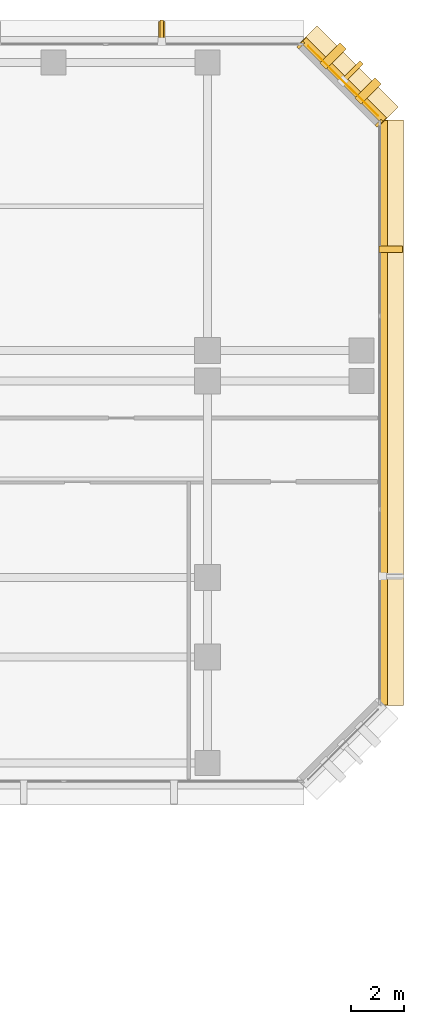
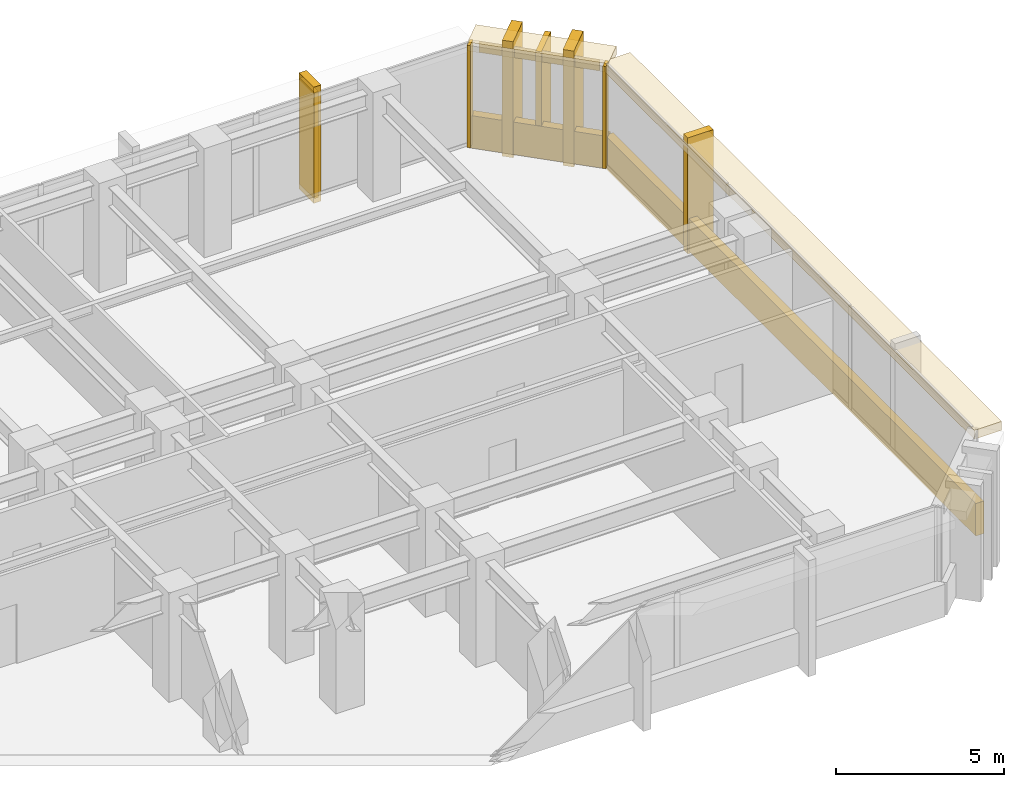
# One storey, part 14 of 14: 11 coverings, 2 shading devices.
"""IFC4 building model written with IfcOpenShell, lengths in metres."""

import ifcopenshell
import ifcopenshell.guid

model = None  # the IFC model being written
_history = None  # IfcOwnerHistory: only IFC2X3 demands one
_inside = {}  # id of a spatial element -> (the spatial element, [elements in it])
_under = {}  # id of a project, library or spatial element -> (it, [spatial elements below it])
_declared = {}  # id of a project -> (the project, [libraries it declares])
_typed = {}  # id of a type object -> (the type object, [elements of that type])
_made_of = {}  # id of a material, layer set ... -> (it, [elements and type objects made of it])


def new_model(schema):
    """Start an empty IFC model of exactly this schema.

    Asked for "IFC4X3", IfcOpenShell would pick the latest addendum, in which some entities
    have other attributes; the version numbers below select the first issue.
    IFC2X3 requires an IfcOwnerHistory on every rooted entity: one is made here for all.
    """
    global model, _history
    if schema == "IFC4X3":
        model = ifcopenshell.file(schema_version=(4, 3, 0, 0))
    else:
        model = ifcopenshell.file(schema=schema)
    _inside.clear()
    _under.clear()
    _declared.clear()
    _typed.clear()
    _made_of.clear()
    _history = None
    if model.schema == "IFC2X3":
        org = make("IfcOrganization", Name="unknown")
        user = make(
            "IfcPersonAndOrganization",
            ThePerson=make("IfcPerson", FamilyName="unknown"),
            TheOrganization=org,
        )
        app = make(
            "IfcApplication",
            ApplicationDeveloper=org,
            Version="unknown",
            ApplicationFullName="unknown",
            ApplicationIdentifier="unknown",
        )
        _history = make(
            "IfcOwnerHistory",
            OwningUser=user,
            OwningApplication=app,
            ChangeAction="ADDED",
            CreationDate=0,
        )
    return model


def make(cls, **values):
    """One entity of the class cls with the attributes given. An attribute that is None is left unset."""
    return model.create_entity(
        cls, **{name: value for name, value in values.items() if value is not None}
    )


def rooted(cls, **values):
    """An entity with a GlobalId (a new one), such as an element, a storey or a relation."""
    return make(cls, GlobalId=ifcopenshell.guid.new(), OwnerHistory=_history, **values)


def si_unit(unit_type, name, prefix=None):
    """IfcSIUnit, for example si_unit("LENGTHUNIT", "METRE", prefix="MILLI")."""
    return make("IfcSIUnit", UnitType=unit_type, Prefix=prefix, Name=name)


def assignment(units):
    """IfcUnitAssignment: the units of a project."""
    return None if units is None else make("IfcUnitAssignment", Units=units)


def point(xyz):
    """IfcCartesianPoint."""
    return None if xyz is None else make("IfcCartesianPoint", Coordinates=xyz)


def direction(xyz):
    """IfcDirection."""
    return None if xyz is None else make("IfcDirection", DirectionRatios=xyz)


def frame(location, z_axis=None, x_axis=None):
    """IfcAxis2Placement3D, a coordinate frame: its origin and axes. An axis left out is left unset."""
    return make(
        "IfcAxis2Placement3D",
        Location=point(location),
        Axis=direction(z_axis),
        RefDirection=direction(x_axis),
    )


def frame_2d(location, x_axis=None):
    """IfcAxis2Placement2D, a coordinate frame in the plane: its origin and x axis."""
    return make(
        "IfcAxis2Placement2D", Location=point(location), RefDirection=direction(x_axis)
    )


def origin():
    """The frame at (0, 0, 0) with its axes left unset."""
    return frame((0.0, 0.0, 0.0))


def origin_2d():
    """The frame at (0, 0) in the plane with its x axis left unset."""
    return frame_2d((0.0, 0.0))


def place(relative_to, where):
    """IfcLocalPlacement: puts the frame where relative to a parent placement (None: the world)."""
    return make(
        "IfcLocalPlacement", PlacementRelTo=relative_to, RelativePlacement=where
    )


def context(
    kind, dimensions, precision=None, world=None, true_north=None, identifier=None
):
    """IfcGeometricRepresentationContext, for example the 3D "Model" context."""
    return make(
        "IfcGeometricRepresentationContext",
        ContextIdentifier=identifier,
        ContextType=kind,
        CoordinateSpaceDimension=dimensions,
        Precision=precision,
        WorldCoordinateSystem=world,
        TrueNorth=true_north,
    )


def subcontext(parent, identifier, kind, view, scale=None):
    """IfcGeometricRepresentationSubContext, for example "Body" below "Model"."""
    return make(
        "IfcGeometricRepresentationSubContext",
        ContextIdentifier=identifier,
        ContextType=kind,
        ParentContext=parent,
        TargetScale=scale,
        TargetView=view,
    )


def project(units=None, contexts=None):
    """IfcProject with its units and contexts."""
    return rooted(
        "IfcProject",
        Name="project",
        RepresentationContexts=contexts,
        UnitsInContext=assignment(units),
    )


def spatial(cls, under=None, at=None, **own):
    """A site, building, storey or space (cls), placed at a placement, below another one or the project."""
    s = rooted(cls, ObjectPlacement=at, **own)
    if under is not None:
        _under.setdefault(under.id(), (under, []))[1].append(s)
    return s


def profile(cls, at=None, kind="AREA", **sizes):
    """A parametric profile (cls). Its sizes go by their IFC names, for example OverallWidth=200.0."""
    return make(cls, ProfileType=kind, Position=at, **sizes)


def rectangle(**sizes):
    """IfcRectangleProfileDef."""
    return profile("IfcRectangleProfileDef", **sizes)


def extrude(swept, where, along, depth):
    """IfcExtrudedAreaSolid: the profile swept, set in the frame where, extruded along a direction by depth."""
    return make(
        "IfcExtrudedAreaSolid",
        SweptArea=swept,
        Position=where,
        ExtrudedDirection=direction(along),
        Depth=depth,
    )


def shape(context_of_items, identifier, shape_type, items):
    """IfcShapeRepresentation: the items that make up one representation, for example the "Body"."""
    return make(
        "IfcShapeRepresentation",
        ContextOfItems=context_of_items,
        RepresentationIdentifier=identifier,
        RepresentationType=shape_type,
        Items=items,
    )


def material(Name=None, Category=None):
    """IfcMaterial."""
    return make("IfcMaterial", Name=Name, Category=Category)


def layer(
    of_material, thickness, ventilated=None, Name=None, Category=None, Priority=None
):
    """IfcMaterialLayer: one layer of a wall or slab, of a material (None: an air gap)."""
    return make(
        "IfcMaterialLayer",
        Material=of_material,
        LayerThickness=thickness,
        IsVentilated=ventilated,
        Name=Name,
        Category=Category,
        Priority=Priority,
    )


def layer_set(layers, Name=None):
    """IfcMaterialLayerSet."""
    return make("IfcMaterialLayerSet", MaterialLayers=layers, LayerSetName=Name)


def material_profile(
    of_material, cross_section, Name=None, Category=None, Priority=None
):
    """IfcMaterialProfile: a cross section and its material."""
    return make(
        "IfcMaterialProfile",
        Name=Name,
        Material=of_material,
        Profile=cross_section,
        Priority=Priority,
        Category=Category,
    )


def profile_set(profiles, Name=None, composite=None):
    """IfcMaterialProfileSet."""
    return make(
        "IfcMaterialProfileSet",
        Name=Name,
        MaterialProfiles=profiles,
        CompositeProfile=composite,
    )


def made_of(thing, what):
    """Note that an element or type object is made of a material, layer set ...; save() writes the relation."""
    if what is not None:
        _made_of.setdefault(what.id(), (what, []))[1].append(thing)
    return thing


def type_object(cls, material=None, **own):
    """A type object (cls), such as IfcWallType, which elements share."""
    return made_of(rooted(cls, **own), material)


def element(
    cls,
    number,
    at=None,
    inside=None,
    cuts=None,
    type_object=None,
    material=None,
    context=None,
    identifier="Body",
    shape_type=None,
    held_by="IfcProductDefinitionShape",
    body=None,
    shapes=None,
    **own,
):
    """One element of the class cls, such as IfcWall. Its Tag is "e" and its number.

    at: its placement. inside: the storey or other place that contains it. cuts: it is an
    opening in that element (IfcRelVoidsElement). A single representation is given by context,
    identifier, shape_type and body (its items); several are given by shapes. held_by: the class
    of the entity that holds the representations. save() writes the other relations.
    """
    e = rooted(cls, Tag="e%d" % number, ObjectPlacement=at, **own)
    if body is not None:
        shapes = [shape(context, identifier, shape_type, body)]
    if shapes is not None:
        e.Representation = make(held_by, Representations=shapes)
    if inside is not None:
        _inside.setdefault(inside.id(), (inside, []))[1].append(e)
    if cuts is not None:
        rooted(
            "IfcRelVoidsElement", RelatingBuildingElement=cuts, RelatedOpeningElement=e
        )
    if type_object is not None:
        _typed.setdefault(type_object.id(), (type_object, []))[1].append(e)
    return made_of(e, material)


def aggregate(whole, parts):
    """IfcRelAggregates: a whole, such as a stair, and the parts it consists of."""
    return rooted("IfcRelAggregates", RelatingObject=whole, RelatedObjects=parts)


def save(model, path):
    """Write the relations noted so far, then the file.

    IfcRelAggregates (storeys below a building ...), IfcRelContainedInSpatialStructure (elements
    in a storey), IfcRelDefinesByType, IfcRelAssociatesMaterial and IfcRelDeclares: one each for
    every whole, place, type object, material and project.
    """
    for whole, parts in _under.values():
        aggregate(whole, parts)
    for where, things in _inside.values():
        rooted(
            "IfcRelContainedInSpatialStructure",
            RelatedElements=things,
            RelatingStructure=where,
        )
    for kind, things in _typed.values():
        rooted("IfcRelDefinesByType", RelatedObjects=things, RelatingType=kind)
    for what, things in _made_of.values():
        rooted("IfcRelAssociatesMaterial", RelatedObjects=things, RelatingMaterial=what)
    for by, libraries in _declared.values():
        rooted("IfcRelDeclares", RelatingContext=by, RelatedDefinitions=libraries)
    model.write(path)


model = new_model("IFC4")

# Units and contexts
model_context = context("Model", 3, precision=1e-05, world=origin(), true_north=direction((0.0, 1.0)))
body_context = subcontext(model_context, "Body", "Model", "MODEL_VIEW")
ifc_project = project(units=[si_unit("LENGTHUNIT", "METRE"), si_unit("AREAUNIT", "SQUARE_METRE"), si_unit("VOLUMEUNIT", "CUBIC_METRE"), si_unit("PLANEANGLEUNIT", "RADIAN"), si_unit("MASSUNIT", "GRAM", prefix="KILO")], contexts=[model_context])

# Site, building, storey
site_placement = place(None, origin())
site = spatial("IfcSite", under=ifc_project, at=site_placement, CompositionType="ELEMENT")
building_placement = place(site_placement, origin())
building = spatial("IfcBuilding", under=site, at=building_placement, Name="Kefirva Bronze Tower", CompositionType="ELEMENT")
storey_placement = place(building_placement, frame((0.0, 0.0, 50.159912109375)))
storey = spatial("IfcBuildingStorey", under=building, at=storey_placement, Name="L11", CompositionType="ELEMENT", Elevation=50.159912109375)

# Coverings
ifc_material = material(Name="Bronze anodised aluminium", Category="aluminium")
ifc_layer_1 = layer(ifc_material, 0.02001953125, Name="Bronze anodised aluminium")
ifc_layer_set_1 = layer_set([ifc_layer_1], Name="Bronze anodised aluminium")
covering_type_1 = type_object("IfcCoveringType", Name="Anodised Bronze Spandrel Cladding 20mm", PredefinedType="CLADDING", material=ifc_layer_set_1)
covering_1_placement = place(storey_placement, frame((56.0400390625, 32.0, -0.15966796875), z_axis=(0.0, 0.0, 1.0), x_axis=(0.0, 1.0, 0.0)))
element("IfcCovering", 1, at=covering_1_placement, inside=storey, type_object=covering_type_1, Name="L11 Streamline Horizontal Spandrel Band 10", PredefinedType="CLADDING", context=body_context, shape_type="SweptSolid", body=[
    extrude(rectangle(XDim=22.0400390625, YDim=0.280029296875, at=origin_2d()), origin(), (0.0, 0.0, 1.0), 1.179931640625),
])
covering_2_placement = place(storey_placement, frame((54.507080078125, 44.507080078125, 3.2900390625), z_axis=(0.0, 0.0, 1.0), x_axis=(-0.707106781187, 0.707106781187, 0.0)))
element("IfcCovering", 2, at=covering_2_placement, inside=storey, type_object=covering_type_1, Name="L11 Bronze Spandrel Cladding 8", PredefinedType="CLADDING", context=body_context, shape_type="SweptSolid", body=[
    extrude(rectangle(XDim=3.719482421875, YDim=0.02001953125, at=origin_2d()), origin(), (0.0, 0.0, 1.0), 0.39990234375),
])
for number, where, z_axis, x_axis, name in (
    (3, (55.862060546875, 42.91162109375, 0.0), (0.0, 0.0, 1.0), (-0.707106781187, 0.707106781187, 0.0), "L11 Facade Joint Closure Panel 8S"),
    (4, (52.91162109375, 45.862060546875, 0.0), (0.0, 0.0, 1.0), (-0.707106781187, 0.707106781187, 0.0), "L11 Facade Joint Closure Panel 8E"),
):
    element("IfcCovering", number, at=place(storey_placement, frame(where, z_axis=z_axis, x_axis=x_axis)), inside=storey, type_object=covering_type_1, Name=name, PredefinedType="CLADDING", context=body_context, shape_type="SweptSolid", body=[
        extrude(rectangle(XDim=0.10009765625, YDim=0.320068359375, at=origin_2d()), origin(), (0.0, 0.0, 1.0), 3.7099609375),
    ])
covering_3_placement = place(storey_placement, frame((54.5283203125, 44.5283203125, -0.15966796875), z_axis=(0.0, 0.0, 1.0), x_axis=(-0.707106781187, 0.707106781187, 0.0)))
element("IfcCovering", 5, at=covering_3_placement, inside=storey, type_object=covering_type_1, Name="L11 Streamline Horizontal Spandrel Band 11", PredefinedType="CLADDING", context=body_context, shape_type="SweptSolid", body=[
    extrude(rectangle(XDim=4.28271484375, YDim=0.280029296875, at=origin_2d()), origin(), (0.0, 0.0, 1.0), 1.179931640625),
])

# Shading device
ifc_material_profile_1 = material_profile(ifc_material, rectangle(XDim=0.179931640625, YDim=1.080078125, at=origin_2d()), Name="BRONZE BUTTRESS FIN 180x1080")
ifc_profile_set_1 = profile_set([ifc_material_profile_1], Name="Bronze anodised aluminium")
shading_device_type_1 = type_object("IfcShadingDeviceType", Name="Chamfered Corner Buttress Bronze Fin 1080mm", PredefinedType="USERDEFINED", material=ifc_profile_set_1)
shading_device_1_placement = place(storey_placement, frame((54.8251953125, 44.8251953125, -0.139892578125), z_axis=(0.0, 0.0, 1.0), x_axis=(-0.707106781187, 0.707106781187, 0.0)))
element("IfcShadingDevice", 6, at=shading_device_1_placement, inside=storey, type_object=shading_device_type_1, Name="L11 Chamfered Corner Buttress Fin 18", ObjectType="VERTICAL FIN", PredefinedType="USERDEFINED", context=body_context, shape_type="SweptSolid", body=[
    extrude(rectangle(XDim=0.179931640625, YDim=1.080078125, at=origin_2d()), origin(), (0.0, 0.0, 1.0), 3.85009765625),
])

# Coverings
ifc_layer_2 = layer(ifc_material, 0.179931640625, Name="Bronze anodised aluminium")
ifc_layer_set_2 = layer_set([ifc_layer_2], Name="Bronze anodised aluminium")
covering_type_2 = type_object("IfcCoveringType", Name="Streamline Bronze Sunshade Eyebrow Cladding 180mm", PredefinedType="CLADDING", material=ifc_layer_set_2)
covering_4_placement = place(storey_placement, frame((56.31005859375, 32.0, 3.39013671875), z_axis=(0.0, 0.0, 1.0), x_axis=(0.0, 1.0, 0.0)))
element("IfcCovering", 7, at=covering_4_placement, inside=storey, type_object=covering_type_2, Name="L11 Streamline Bronze Sunshade Eyebrow 10", PredefinedType="CLADDING", context=body_context, shape_type="SweptSolid", body=[
    extrude(rectangle(XDim=22.080078125, YDim=0.93994140625, at=origin_2d()), origin(), (0.0, 0.0, 1.0), 0.320068359375),
])
covering_5_placement = place(storey_placement, frame((54.71923828125, 44.71923828125, 3.39013671875), z_axis=(0.0, 0.0, 1.0), x_axis=(-0.707106781187, 0.707106781187, 0.0)))
element("IfcCovering", 8, at=covering_5_placement, inside=storey, type_object=covering_type_2, Name="L11 Streamline Bronze Sunshade Eyebrow 11", PredefinedType="CLADDING", context=body_context, shape_type="SweptSolid", body=[
    extrude(rectangle(XDim=4.322509765625, YDim=0.93994140625, at=origin_2d()), origin(), (0.0, 0.0, 1.0), 0.320068359375),
])
ifc_layer_3 = layer(ifc_material, 0.260009765625, Name="Bronze anodised aluminium")
ifc_layer_set_3 = layer_set([ifc_layer_3], Name="Bronze anodised aluminium")
covering_type_3 = type_object("IfcCoveringType", Name="Unbroken Bronze Buttress Fin Cladding 260mm", PredefinedType="CLADDING", material=ifc_layer_set_3)
covering_6_placement = place(storey_placement, frame((56.300048828125, 38.159912109375, -0.25), z_axis=(0.0, 0.0, 1.0), x_axis=(0.0, 1.0, 0.0)))
element("IfcCovering", 9, at=covering_6_placement, inside=storey, type_object=covering_type_3, Name="L11 Unbroken Vertical Bronze Rib Fin 16", PredefinedType="CLADDING", context=body_context, shape_type="SweptSolid", body=[
    extrude(rectangle(XDim=0.260009765625, YDim=0.8798828125, at=origin_2d()), origin(), (0.0, 0.0, 1.0), 4.2099609375),
])
for number, where, z_axis, x_axis, name in (
    (10, (55.44287109375, 44.122802734375, -0.25), (0.0, 0.0, 1.0), (-0.707106781187, 0.707106781187, 0.0), "L11 Chamfered Corner Buttress Fin Cladding 17"),
    (11, (54.122802734375, 45.44287109375, -0.25), (0.0, 0.0, 1.0), (-0.707106781187, 0.707106781187, 0.0), "L11 Chamfered Corner Buttress Fin Cladding 18"),
):
    element("IfcCovering", number, at=place(storey_placement, frame(where, z_axis=z_axis, x_axis=x_axis)), inside=storey, type_object=covering_type_3, Name=name, PredefinedType="CLADDING", context=body_context, shape_type="SweptSolid", body=[
        extrude(rectangle(XDim=0.340087890625, YDim=1.080078125, at=origin_2d()), origin(), (0.0, 0.0, 1.0), 4.2099609375),
    ])
covering_7_placement = place(storey_placement, frame((47.6728515625, 46.300048828125, -0.25), z_axis=(0.0, 0.0, 1.0), x_axis=(-1.0, 0.0, 0.0)))
element("IfcCovering", 12, at=covering_7_placement, inside=storey, type_object=covering_type_3, Name="L11 Unbroken Vertical Bronze Rib Fin 19", PredefinedType="CLADDING", context=body_context, shape_type="SweptSolid", body=[
    extrude(rectangle(XDim=0.260009765625, YDim=0.8798828125, at=origin_2d()), origin(), (0.0, 0.0, 1.0), 4.2099609375),
])

# Shading device
ifc_material_profile_2 = material_profile(ifc_material, rectangle(XDim=0.139892578125, YDim=0.8798828125, at=origin_2d()), Name="BRONZE FIN 140x880")
ifc_profile_set_2 = profile_set([ifc_material_profile_2], Name="Bronze anodised aluminium")
shading_device_type_2 = type_object("IfcShadingDeviceType", Name="Unbroken Vertical Bronze Facade Fin 880mm", PredefinedType="USERDEFINED", material=ifc_profile_set_2)
shading_device_2_placement = place(storey_placement, frame((47.6728515625, 46.360107421875, -0.139892578125), z_axis=(0.0, 0.0, 1.0), x_axis=(-1.0, 0.0, 0.0)))
element("IfcShadingDevice", 13, at=shading_device_2_placement, inside=storey, type_object=shading_device_type_2, Name="L11 Vertical Bronze Rib Fin 19", ObjectType="VERTICAL FIN", PredefinedType="USERDEFINED", context=body_context, shape_type="SweptSolid", body=[
    extrude(rectangle(XDim=0.139892578125, YDim=0.8798828125, at=origin_2d()), origin(), (0.0, 0.0, 1.0), 3.85009765625),
])

save(model, "model.ifc")
